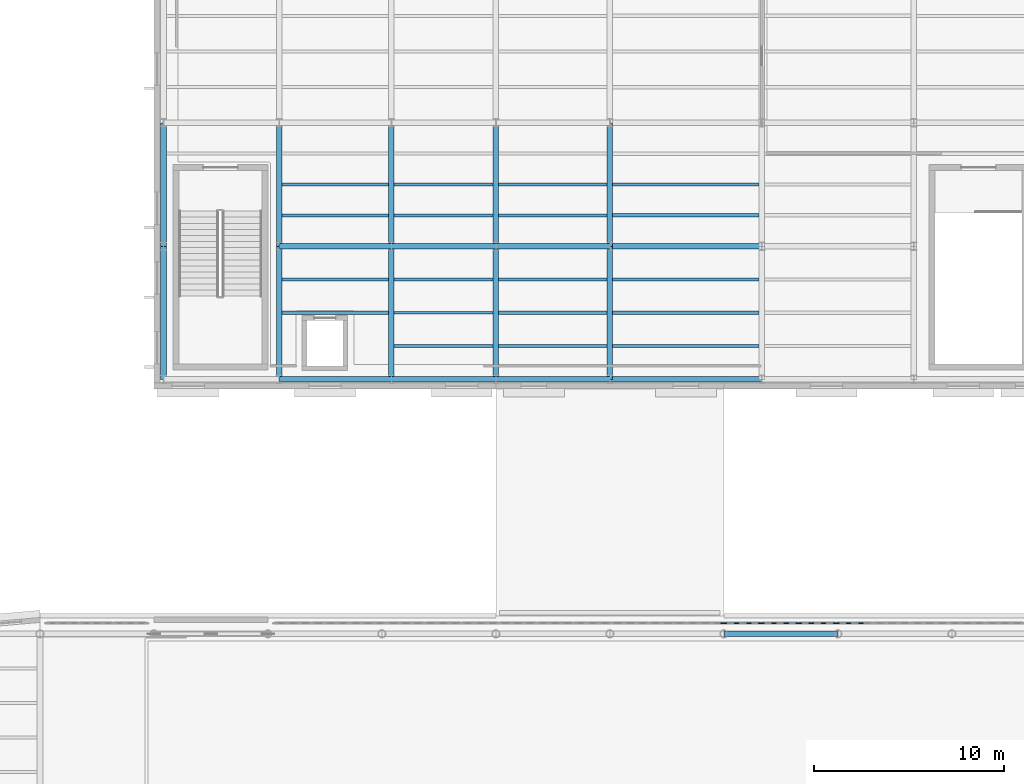
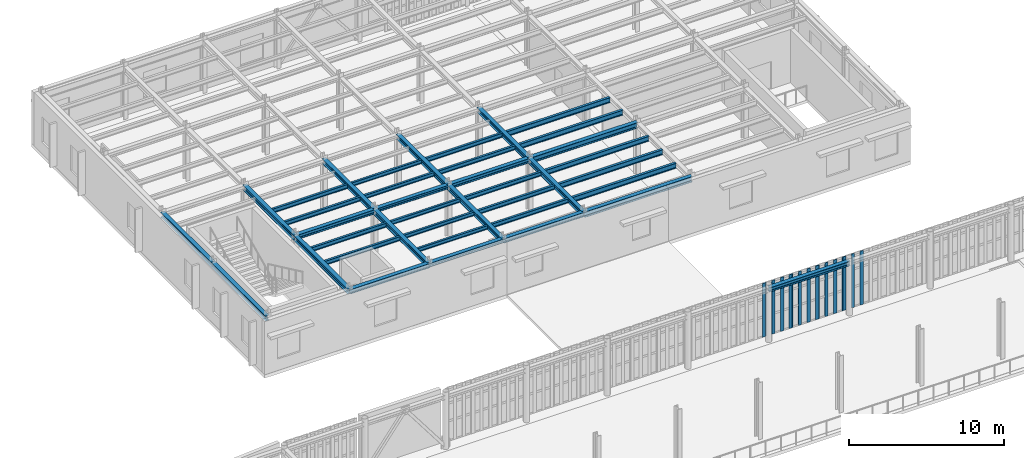
# One storey, part 29 of 91: 38 beams, 16 members, 5 elements without a shape of their own.
"""IFC4 building model written with IfcOpenShell, lengths in metres."""

from ifc_helpers import new_model, si_unit, direction, frame, origin, origin_2d, place, context, subcontext, project, spatial, rectangle, i_section, extrude, material, material_profile, profile_set, type_object, element, aggregate, save


model = new_model("IFC4")

# Units and contexts
model_context = context("Model", 3, precision=1e-05, world=origin(), true_north=direction((0.0, 1.0)))
body_context = subcontext(model_context, "Body", "Model", "MODEL_VIEW")
ifc_project = project(units=[si_unit("LENGTHUNIT", "METRE"), si_unit("AREAUNIT", "SQUARE_METRE"), si_unit("VOLUMEUNIT", "CUBIC_METRE"), si_unit("PLANEANGLEUNIT", "RADIAN"), si_unit("MASSUNIT", "GRAM", prefix="KILO")], contexts=[model_context])

# Site, building, storey
site_placement = place(None, origin())
site = spatial("IfcSite", under=ifc_project, at=site_placement, CompositionType="ELEMENT")
building_placement = place(site_placement, origin())
building = spatial("IfcBuilding", under=site, at=building_placement, Name="Kolvaren Corner Interchange", CompositionType="ELEMENT")
storey_placement = place(building_placement, frame((0.0, 0.0, 6.0)))
storey = spatial("IfcBuildingStorey", under=building, at=storey_placement, Name="L02", CompositionType="ELEMENT", Elevation=6.0)

# Beams
ifc_material_1 = material(Name="Steel S355", Category="steel")
ifc_material_profile_1 = material_profile(ifc_material_1, i_section(OverallWidth=0.300048828125, OverallDepth=0.2900390625, WebThickness=0.008544921875, FlangeThickness=0.013916015625, FilletRadius=0.027099609375, at=origin_2d()), Name="HEA 300")
ifc_profile_set_1 = profile_set([ifc_material_profile_1], Name="Steel S355")
beam_type_1 = type_object("IfcBeamType", Name="BM-HEA300", PredefinedType="BEAM", material=ifc_profile_set_1)
for number, where, z_axis, x_axis, name in (
    (1, (78.5, 84.5, 4.034912109375), (1.0, 0.0, 0.0), (0.0, 1.0, 0.0), "Storey L02 Grid X Primary Girder 0709"),
    (2, (78.5, 91.5, 4.034912109375), (1.0, 0.0, 0.0), (0.0, 1.0, 0.0), "Storey L02 Grid X Primary Girder 0715"),
):
    element("IfcBeam", number, at=place(storey_placement, frame(where, z_axis=z_axis, x_axis=x_axis)), inside=storey, type_object=beam_type_1, Name=name, PredefinedType="BEAM", context=body_context, shape_type="SweptSolid", body=[
        extrude(i_section(OverallWidth=0.300048828125, OverallDepth=0.2900390625, WebThickness=0.008544921875, FlangeThickness=0.013916015625, FilletRadius=0.027099609375, at=origin_2d()), origin(), (0.0, 0.0, 1.0), 5.5),
    ])
ifc_material_2 = material(Name="Steel S355", Category="steel")
ifc_material_profile_2 = material_profile(ifc_material_2, i_section(OverallWidth=0.300048828125, OverallDepth=0.35009765625, WebThickness=0.010009765625, FlangeThickness=0.017578125, FilletRadius=0.027099609375, at=origin_2d()), Name="HEA 360")
ifc_profile_set_2 = profile_set([ifc_material_profile_2], Name="Steel S355")
beam_type_2 = type_object("IfcBeamType", Name="BM-HEA360", PredefinedType="BEAM", material=ifc_profile_set_2)
beam_1_placement = place(storey_placement, frame((96.0, 71.10009765625, 4.074951171875), z_axis=(1.0, 0.0, 0.0), x_axis=(0.0, 1.0, 0.0)))
element("IfcBeam", 3, at=beam_1_placement, inside=storey, type_object=beam_type_2, Name="Storey L02 Grid X Primary Girder 0597", PredefinedType="BEAM", context=body_context, shape_type="SweptSolid", body=[
    extrude(i_section(OverallWidth=0.300048828125, OverallDepth=0.35009765625, WebThickness=0.010009765625, FlangeThickness=0.017578125, FilletRadius=0.027099609375, at=origin_2d()), origin(), (0.0, 0.0, 1.0), 6.0),
])
beam_2_placement = place(storey_placement, frame((72.60009765625, 84.5, 4.0048828125), z_axis=(1.0, 0.0, 0.0), x_axis=(0.0, 1.0, 0.0)))
element("IfcBeam", 4, at=beam_2_placement, inside=storey, type_object=beam_type_2, Name="Storey L02 Grid X Primary Girder 0708", PredefinedType="BEAM", context=body_context, shape_type="SweptSolid", body=[
    extrude(i_section(OverallWidth=0.300048828125, OverallDepth=0.35009765625, WebThickness=0.010009765625, FlangeThickness=0.017578125, FilletRadius=0.027099609375, at=origin_2d()), origin(), (0.0, 0.0, 1.0), 5.89990234375),
])
beam_3_placement = place(storey_placement, frame((84.0, 84.5, 4.0048828125), z_axis=(1.0, 0.0, 0.0), x_axis=(0.0, 1.0, 0.0)))
element("IfcBeam", 5, at=beam_3_placement, inside=storey, type_object=beam_type_2, Name="Storey L02 Grid X Primary Girder 0710", PredefinedType="BEAM", context=body_context, shape_type="SweptSolid", body=[
    extrude(i_section(OverallWidth=0.300048828125, OverallDepth=0.35009765625, WebThickness=0.010009765625, FlangeThickness=0.017578125, FilletRadius=0.027099609375, at=origin_2d()), origin(), (0.0, 0.0, 1.0), 6.0),
])
beam_4_placement = place(storey_placement, frame((72.60009765625, 91.5, 4.0048828125), z_axis=(1.0, 0.0, 0.0), x_axis=(0.0, 1.0, 0.0)))
element("IfcBeam", 6, at=beam_4_placement, inside=storey, type_object=beam_type_2, Name="Storey L02 Grid X Primary Girder 0714", PredefinedType="BEAM", context=body_context, shape_type="SweptSolid", body=[
    extrude(i_section(OverallWidth=0.300048828125, OverallDepth=0.35009765625, WebThickness=0.010009765625, FlangeThickness=0.017578125, FilletRadius=0.027099609375, at=origin_2d()), origin(), (0.0, 0.0, 1.0), 5.89990234375),
])
beam_5_placement = place(storey_placement, frame((84.0, 91.5, 4.0048828125), z_axis=(1.0, 0.0, 0.0), x_axis=(0.0, 1.0, 0.0)))
element("IfcBeam", 7, at=beam_5_placement, inside=storey, type_object=beam_type_2, Name="Storey L02 Grid X Primary Girder 0716", PredefinedType="BEAM", context=body_context, shape_type="SweptSolid", body=[
    extrude(i_section(OverallWidth=0.300048828125, OverallDepth=0.35009765625, WebThickness=0.010009765625, FlangeThickness=0.017578125, FilletRadius=0.027099609375, at=origin_2d()), origin(), (0.0, 0.0, 1.0), 6.0),
])
ifc_material_3 = material(Name="Steel S355", Category="steel")
ifc_material_profile_3 = material_profile(ifc_material_3, i_section(OverallWidth=0.300048828125, OverallDepth=0.389892578125, WebThickness=0.010986328125, FlangeThickness=0.01904296875, FilletRadius=0.027099609375, at=origin_2d()), Name="HEA 400")
ifc_profile_set_3 = profile_set([ifc_material_profile_3], Name="Steel S355")
beam_type_3 = type_object("IfcBeamType", Name="BM-HEA400", PredefinedType="BEAM", material=ifc_profile_set_3)
beam_6_placement = place(storey_placement, frame((66.5, 84.5, 3.985107421875), z_axis=(0.0, 1.0, 0.0), x_axis=(-1.0, 0.0, 0.0)))
element("IfcBeam", 8, at=beam_6_placement, inside=storey, type_object=beam_type_3, Name="Storey L02 Grid Y Primary Girder 0786", PredefinedType="BEAM", context=body_context, shape_type="SweptSolid", body=[
    extrude(i_section(OverallWidth=0.300048828125, OverallDepth=0.389892578125, WebThickness=0.010986328125, FlangeThickness=0.01904296875, FilletRadius=0.027099609375, at=origin_2d()), origin(), (0.0, 0.0, 1.0), 7.0),
])
beam_7_placement = place(storey_placement, frame((66.5, 91.5, 3.985107421875), z_axis=(0.0, 1.0, 0.0), x_axis=(-1.0, 0.0, 0.0)))
element("IfcBeam", 9, at=beam_7_placement, inside=storey, type_object=beam_type_3, Name="Storey L02 Grid Y Primary Girder 0787", PredefinedType="BEAM", context=body_context, shape_type="SweptSolid", body=[
    extrude(i_section(OverallWidth=0.300048828125, OverallDepth=0.389892578125, WebThickness=0.010986328125, FlangeThickness=0.01904296875, FilletRadius=0.027099609375, at=origin_2d()), origin(), (0.0, 0.0, 1.0), 6.5),
])
beam_8_placement = place(storey_placement, frame((72.60009765625, 84.5, 3.985107421875), z_axis=(0.0, 1.0, 0.0), x_axis=(-1.0, 0.0, 0.0)))
element("IfcBeam", 10, at=beam_8_placement, inside=storey, type_object=beam_type_3, Name="Storey L02 Grid Y Primary Girder 0790", PredefinedType="BEAM", context=body_context, shape_type="SweptSolid", body=[
    extrude(i_section(OverallWidth=0.300048828125, OverallDepth=0.389892578125, WebThickness=0.010986328125, FlangeThickness=0.01904296875, FilletRadius=0.027099609375, at=origin_2d()), origin(), (0.0, 0.0, 1.0), 7.0),
])
beam_9_placement = place(storey_placement, frame((72.60009765625, 91.5, 3.985107421875), z_axis=(0.0, 1.0, 0.0), x_axis=(-1.0, 0.0, 0.0)))
element("IfcBeam", 11, at=beam_9_placement, inside=storey, type_object=beam_type_3, Name="Storey L02 Grid Y Primary Girder 0791", PredefinedType="BEAM", context=body_context, shape_type="SweptSolid", body=[
    extrude(i_section(OverallWidth=0.300048828125, OverallDepth=0.389892578125, WebThickness=0.010986328125, FlangeThickness=0.01904296875, FilletRadius=0.027099609375, at=origin_2d()), origin(), (0.0, 0.0, 1.0), 6.5),
])
beam_10_placement = place(storey_placement, frame((78.5, 84.5, 3.985107421875), z_axis=(0.0, 1.0, 0.0), x_axis=(-1.0, 0.0, 0.0)))
element("IfcBeam", 12, at=beam_10_placement, inside=storey, type_object=beam_type_3, Name="Storey L02 Grid Y Primary Girder 0794", PredefinedType="BEAM", context=body_context, shape_type="SweptSolid", body=[
    extrude(i_section(OverallWidth=0.300048828125, OverallDepth=0.389892578125, WebThickness=0.010986328125, FlangeThickness=0.01904296875, FilletRadius=0.027099609375, at=origin_2d()), origin(), (0.0, 0.0, 1.0), 7.0),
])
beam_11_placement = place(storey_placement, frame((78.5, 91.5, 3.985107421875), z_axis=(0.0, 1.0, 0.0), x_axis=(-1.0, 0.0, 0.0)))
element("IfcBeam", 13, at=beam_11_placement, inside=storey, type_object=beam_type_3, Name="Storey L02 Grid Y Primary Girder 0795", PredefinedType="BEAM", context=body_context, shape_type="SweptSolid", body=[
    extrude(i_section(OverallWidth=0.300048828125, OverallDepth=0.389892578125, WebThickness=0.010986328125, FlangeThickness=0.01904296875, FilletRadius=0.027099609375, at=origin_2d()), origin(), (0.0, 0.0, 1.0), 6.5),
])
beam_12_placement = place(storey_placement, frame((84.0, 84.5, 3.985107421875), z_axis=(0.0, 1.0, 0.0), x_axis=(-1.0, 0.0, 0.0)))
element("IfcBeam", 14, at=beam_12_placement, inside=storey, type_object=beam_type_3, Name="Storey L02 Grid Y Primary Girder 0798", PredefinedType="BEAM", context=body_context, shape_type="SweptSolid", body=[
    extrude(i_section(OverallWidth=0.300048828125, OverallDepth=0.389892578125, WebThickness=0.010986328125, FlangeThickness=0.01904296875, FilletRadius=0.027099609375, at=origin_2d()), origin(), (0.0, 0.0, 1.0), 7.0),
])
beam_13_placement = place(storey_placement, frame((84.0, 91.5, 3.985107421875), z_axis=(0.0, 1.0, 0.0), x_axis=(-1.0, 0.0, 0.0)))
element("IfcBeam", 15, at=beam_13_placement, inside=storey, type_object=beam_type_3, Name="Storey L02 Grid Y Primary Girder 0799", PredefinedType="BEAM", context=body_context, shape_type="SweptSolid", body=[
    extrude(i_section(OverallWidth=0.300048828125, OverallDepth=0.389892578125, WebThickness=0.010986328125, FlangeThickness=0.01904296875, FilletRadius=0.027099609375, at=origin_2d()), origin(), (0.0, 0.0, 1.0), 6.5),
])
beam_14_placement = place(storey_placement, frame((90.0, 84.5, 3.985107421875), z_axis=(0.0, 1.0, 0.0), x_axis=(-1.0, 0.0, 0.0)))
element("IfcBeam", 16, at=beam_14_placement, inside=storey, type_object=beam_type_3, Name="Storey L02 Grid Y Primary Girder 0802", PredefinedType="BEAM", context=body_context, shape_type="SweptSolid", body=[
    extrude(i_section(OverallWidth=0.300048828125, OverallDepth=0.389892578125, WebThickness=0.010986328125, FlangeThickness=0.01904296875, FilletRadius=0.027099609375, at=origin_2d()), origin(), (0.0, 0.0, 1.0), 7.0),
])
beam_15_placement = place(storey_placement, frame((90.0, 91.5, 3.985107421875), z_axis=(0.0, 1.0, 0.0), x_axis=(-1.0, 0.0, 0.0)))
element("IfcBeam", 17, at=beam_15_placement, inside=storey, type_object=beam_type_3, Name="Storey L02 Grid Y Primary Girder 0803", PredefinedType="BEAM", context=body_context, shape_type="SweptSolid", body=[
    extrude(i_section(OverallWidth=0.300048828125, OverallDepth=0.389892578125, WebThickness=0.010986328125, FlangeThickness=0.01904296875, FilletRadius=0.027099609375, at=origin_2d()), origin(), (0.0, 0.0, 1.0), 6.5),
])
ifc_material_4 = material(Name="Steel S355", Category="steel")
ifc_material_profile_4 = material_profile(ifc_material_4, i_section(OverallWidth=0.300048828125, OverallDepth=0.43994140625, WebThickness=0.011474609375, FlangeThickness=0.02099609375, FilletRadius=0.027099609375, at=origin_2d()), Name="HEA 450")
ifc_profile_set_4 = profile_set([ifc_material_profile_4], Name="Steel S355")
beam_type_4 = type_object("IfcBeamType", Name="BM-HEA450", PredefinedType="BEAM", material=ifc_profile_set_4)
for number, where, z_axis, x_axis, name in (
    (18, (90.0, 84.5, 3.9599609375), (1.0, 0.0, 0.0), (0.0, 1.0, 0.0), "Storey L02 Grid X Primary Girder 0711"),
    (19, (90.0, 91.5, 3.9599609375), (1.0, 0.0, 0.0), (0.0, 1.0, 0.0), "Storey L02 Grid X Primary Girder 0717"),
):
    element("IfcBeam", number, at=place(storey_placement, frame(where, z_axis=z_axis, x_axis=x_axis)), inside=storey, type_object=beam_type_4, Name=name, PredefinedType="BEAM", context=body_context, shape_type="SweptSolid", body=[
        extrude(i_section(OverallWidth=0.300048828125, OverallDepth=0.43994140625, WebThickness=0.011474609375, FlangeThickness=0.02099609375, FilletRadius=0.027099609375, at=origin_2d()), origin(), (0.0, 0.0, 1.0), 8.0),
    ])
ifc_material_5 = material(Name="Steel S355", Category="steel")
ifc_material_profile_5 = material_profile(ifc_material_5, i_section(OverallWidth=0.14990234375, OverallDepth=0.300048828125, WebThickness=0.007080078125, FlangeThickness=0.0107421875, FilletRadius=0.014892578125, at=origin_2d()), Name="IPE 300")
ifc_profile_set_5 = profile_set([ifc_material_profile_5], Name="Steel S355")
beam_type_5 = type_object("IfcBeamType", Name="JS-IPE300", PredefinedType="JOIST", material=ifc_profile_set_5)
for number, where, z_axis, x_axis, name in (
    (20, (78.64990234375, 86.25, 4.030029296875), (1.0, 0.0, 0.0), (0.0, 1.0, 0.0), "Storey L02 Composite Floor Joist 0704"),
    (21, (78.64990234375, 88.0, 4.030029296875), (1.0, 0.0, 0.0), (0.0, 1.0, 0.0), "Storey L02 Composite Floor Joist 0705"),
    (22, (78.64990234375, 89.75, 4.030029296875), (1.0, 0.0, 0.0), (0.0, 1.0, 0.0), "Storey L02 Composite Floor Joist 0706"),
    (23, (78.64990234375, 93.125, 4.030029296875), (1.0, 0.0, 0.0), (0.0, 1.0, 0.0), "Storey L02 Composite Floor Joist 0707"),
    (24, (78.64990234375, 94.75, 4.030029296875), (1.0, 0.0, 0.0), (0.0, 1.0, 0.0), "Storey L02 Composite Floor Joist 0708"),
):
    element("IfcBeam", number, at=place(storey_placement, frame(where, z_axis=z_axis, x_axis=x_axis)), inside=storey, type_object=beam_type_5, Name=name, PredefinedType="JOIST", context=body_context, shape_type="SweptSolid", body=[
        extrude(i_section(OverallWidth=0.14990234375, OverallDepth=0.300048828125, WebThickness=0.007080078125, FlangeThickness=0.0107421875, FilletRadius=0.014892578125, at=origin_2d()), origin(), (0.0, 0.0, 1.0), 5.2001953125),
    ])
ifc_material_6 = material(Name="Steel S355", Category="steel")
ifc_material_profile_6 = material_profile(ifc_material_6, i_section(OverallWidth=0.159912109375, OverallDepth=0.330078125, WebThickness=0.007568359375, FlangeThickness=0.011474609375, FilletRadius=0.01806640625, at=origin_2d()), Name="IPE 330")
ifc_profile_set_6 = profile_set([ifc_material_profile_6], Name="Steel S355")
beam_type_6 = type_object("IfcBeamType", Name="JS-IPE330", PredefinedType="JOIST", material=ifc_profile_set_6)
for number, where, z_axis, x_axis, name in (
    (25, (72.75, 88.0, 4.014892578125), (1.0, 0.0, 0.0), (0.0, 1.0, 0.0), "Storey L02 Composite Floor Joist 0693"),
    (26, (72.75, 89.75, 4.014892578125), (1.0, 0.0, 0.0), (0.0, 1.0, 0.0), "Storey L02 Composite Floor Joist 0694"),
    (27, (72.75, 93.125, 4.014892578125), (1.0, 0.0, 0.0), (0.0, 1.0, 0.0), "Storey L02 Composite Floor Joist 0695"),
    (28, (72.75, 94.75, 4.014892578125), (1.0, 0.0, 0.0), (0.0, 1.0, 0.0), "Storey L02 Composite Floor Joist 0696"),
):
    element("IfcBeam", number, at=place(storey_placement, frame(where, z_axis=z_axis, x_axis=x_axis)), inside=storey, type_object=beam_type_6, Name=name, PredefinedType="JOIST", context=body_context, shape_type="SweptSolid", body=[
        extrude(i_section(OverallWidth=0.159912109375, OverallDepth=0.330078125, WebThickness=0.007568359375, FlangeThickness=0.011474609375, FilletRadius=0.01806640625, at=origin_2d()), origin(), (0.0, 0.0, 1.0), 5.60009765625),
    ])
for number, where, z_axis, x_axis, name in (
    (29, (84.14990234375, 86.25, 4.014892578125), (1.0, 0.0, 0.0), (0.0, 1.0, 0.0), "Storey L02 Composite Floor Joist 0716"),
    (30, (84.14990234375, 88.0, 4.014892578125), (1.0, 0.0, 0.0), (0.0, 1.0, 0.0), "Storey L02 Composite Floor Joist 0717"),
    (31, (84.14990234375, 89.75, 4.014892578125), (1.0, 0.0, 0.0), (0.0, 1.0, 0.0), "Storey L02 Composite Floor Joist 0718"),
    (32, (84.14990234375, 93.125, 4.014892578125), (1.0, 0.0, 0.0), (0.0, 1.0, 0.0), "Storey L02 Composite Floor Joist 0719"),
    (33, (84.14990234375, 94.75, 4.014892578125), (1.0, 0.0, 0.0), (0.0, 1.0, 0.0), "Storey L02 Composite Floor Joist 0720"),
):
    element("IfcBeam", number, at=place(storey_placement, frame(where, z_axis=z_axis, x_axis=x_axis)), inside=storey, type_object=beam_type_6, Name=name, PredefinedType="JOIST", context=body_context, shape_type="SweptSolid", body=[
        extrude(i_section(OverallWidth=0.159912109375, OverallDepth=0.330078125, WebThickness=0.007568359375, FlangeThickness=0.011474609375, FilletRadius=0.01806640625, at=origin_2d()), origin(), (0.0, 0.0, 1.0), 5.7001953125),
    ])
ifc_material_7 = material(Name="Steel S355", Category="steel")
ifc_material_profile_7 = material_profile(ifc_material_7, i_section(OverallWidth=0.179931640625, OverallDepth=0.39990234375, WebThickness=0.008544921875, FlangeThickness=0.013427734375, FilletRadius=0.02099609375, at=origin_2d()), Name="IPE 400")
ifc_profile_set_7 = profile_set([ifc_material_profile_7], Name="Steel S355")
beam_type_7 = type_object("IfcBeamType", Name="JS-IPE400", PredefinedType="JOIST", material=ifc_profile_set_7)
for number, where, z_axis, x_axis, name in (
    (34, (90.14990234375, 86.25, 3.97998046875), (1.0, 0.0, 0.0), (0.0, 1.0, 0.0), "Storey L02 Composite Floor Joist 0728"),
    (35, (90.14990234375, 88.0, 3.97998046875), (1.0, 0.0, 0.0), (0.0, 1.0, 0.0), "Storey L02 Composite Floor Joist 0729"),
    (36, (90.14990234375, 89.75, 3.97998046875), (1.0, 0.0, 0.0), (0.0, 1.0, 0.0), "Storey L02 Composite Floor Joist 0730"),
    (37, (90.14990234375, 93.125, 3.97998046875), (1.0, 0.0, 0.0), (0.0, 1.0, 0.0), "Storey L02 Composite Floor Joist 0731"),
    (38, (90.14990234375, 94.75, 3.97998046875), (1.0, 0.0, 0.0), (0.0, 1.0, 0.0), "Storey L02 Composite Floor Joist 0732"),
):
    element("IfcBeam", number, at=place(storey_placement, frame(where, z_axis=z_axis, x_axis=x_axis)), inside=storey, type_object=beam_type_7, Name=name, PredefinedType="JOIST", context=body_context, shape_type="SweptSolid", body=[
        extrude(i_section(OverallWidth=0.179931640625, OverallDepth=0.39990234375, WebThickness=0.008544921875, FlangeThickness=0.013427734375, FilletRadius=0.02099609375, at=origin_2d()), origin(), (0.0, 0.0, 1.0), 7.7001953125),
    ])

# Curtain wall, members
ifc_material_8 = material(Name="Unitised Aluminium and Solar-Control Glass Curtain Wall", Category="aluminium")
curtain_wall_type = type_object("IfcCurtainWallType", Name="CW-V1-NORTH", PredefinedType="NOTDEFINED", material=ifc_material_8)
curtain_wall_1_placement = place(storey_placement, origin())
curtain_wall_1 = element("IfcCurtainWall", 39, at=curtain_wall_1_placement, inside=storey, type_object=curtain_wall_type, Name="North Concourse Gallery Curtain Wall Bay 09", PredefinedType="NOTDEFINED")
ifc_material_9 = material(Name="Anodised Aluminium Framing", Category="aluminium")
ifc_material_profile_8 = material_profile(ifc_material_9, rectangle(XDim=0.070068359375, YDim=0.239990234375, at=origin_2d()), Name="ALU 70x240")
ifc_profile_set_8 = profile_set([ifc_material_profile_8], Name="Anodised Aluminium Framing")
member_type = type_object("IfcMemberType", Name="MUL-ALU70x240", PredefinedType="MULLION", material=ifc_profile_set_8)
member_1_placement = place(storey_placement, frame((103.226318359375, 71.659912109375, 0.0), z_axis=(0.0, 0.0, 1.0), x_axis=(0.0, -1.0, 0.0)))
member_1 = element("IfcMember", 40, at=member_1_placement, type_object=member_type, Name="CW-066 mullion 2", PredefinedType="MULLION", context=body_context, shape_type="SweptSolid", body=[
    extrude(rectangle(XDim=0.070068359375, YDim=0.239990234375, at=origin_2d()), origin(), (0.0, 0.0, 1.0), 4.219970703125),
])
member_2_placement = place(storey_placement, frame((102.5693359375, 71.659912109375, 0.0), z_axis=(0.0, 0.0, 1.0), x_axis=(0.0, -1.0, 0.0)))
member_2 = element("IfcMember", 41, at=member_2_placement, type_object=member_type, Name="CW-066 mullion 3", PredefinedType="MULLION", context=body_context, shape_type="SweptSolid", body=[
    extrude(rectangle(XDim=0.070068359375, YDim=0.239990234375, at=origin_2d()), origin(), (0.0, 0.0, 1.0), 4.219970703125),
])
member_3_placement = place(storey_placement, frame((101.947509765625, 71.659912109375, 0.0), z_axis=(0.0, 0.0, 1.0), x_axis=(0.0, -1.0, 0.0)))
member_3 = element("IfcMember", 42, at=member_3_placement, type_object=member_type, Name="CW-066 mullion 4", PredefinedType="MULLION", context=body_context, shape_type="SweptSolid", body=[
    extrude(rectangle(XDim=0.070068359375, YDim=0.239990234375, at=origin_2d()), origin(), (0.0, 0.0, 1.0), 4.219970703125),
])
aggregate(curtain_wall_1, [member_1, member_2, member_3])

curtain_wall_2_placement = place(storey_placement, origin())
curtain_wall_2 = element("IfcCurtainWall", 43, at=curtain_wall_2_placement, inside=storey, type_object=curtain_wall_type, Name="North Concourse Gallery Curtain Wall Bay 10", PredefinedType="NOTDEFINED")
member_4_placement = place(storey_placement, frame((101.87744140625, 71.659912109375, 0.0), z_axis=(0.0, 0.0, 1.0), x_axis=(0.0, -1.0, 0.0)))
member_4 = element("IfcMember", 44, at=member_4_placement, type_object=member_type, Name="CW-067 mullion 1", PredefinedType="MULLION", context=body_context, shape_type="SweptSolid", body=[
    extrude(rectangle(XDim=0.070068359375, YDim=0.239990234375, at=origin_2d()), origin(), (0.0, 0.0, 1.0), 4.219970703125),
])
member_5_placement = place(storey_placement, frame((101.255615234375, 71.659912109375, 0.0), z_axis=(0.0, 0.0, 1.0), x_axis=(0.0, -1.0, 0.0)))
member_5 = element("IfcMember", 45, at=member_5_placement, type_object=member_type, Name="CW-067 mullion 2", PredefinedType="MULLION", context=body_context, shape_type="SweptSolid", body=[
    extrude(rectangle(XDim=0.070068359375, YDim=0.239990234375, at=origin_2d()), origin(), (0.0, 0.0, 1.0), 4.219970703125),
])
member_6_placement = place(storey_placement, frame((100.5986328125, 71.659912109375, 0.0), z_axis=(0.0, 0.0, 1.0), x_axis=(0.0, -1.0, 0.0)))
member_6 = element("IfcMember", 46, at=member_6_placement, type_object=member_type, Name="CW-067 mullion 3", PredefinedType="MULLION", context=body_context, shape_type="SweptSolid", body=[
    extrude(rectangle(XDim=0.070068359375, YDim=0.239990234375, at=origin_2d()), origin(), (0.0, 0.0, 1.0), 4.219970703125),
])
member_7_placement = place(storey_placement, frame((99.976806640625, 71.659912109375, 0.0), z_axis=(0.0, 0.0, 1.0), x_axis=(0.0, -1.0, 0.0)))
member_7 = element("IfcMember", 47, at=member_7_placement, type_object=member_type, Name="CW-067 mullion 4", PredefinedType="MULLION", context=body_context, shape_type="SweptSolid", body=[
    extrude(rectangle(XDim=0.070068359375, YDim=0.239990234375, at=origin_2d()), origin(), (0.0, 0.0, 1.0), 4.219970703125),
])
aggregate(curtain_wall_2, [member_4, member_5, member_6, member_7])

curtain_wall_3_placement = place(storey_placement, origin())
curtain_wall_3 = element("IfcCurtainWall", 48, at=curtain_wall_3_placement, inside=storey, type_object=curtain_wall_type, Name="North Concourse Gallery Curtain Wall Bay 11", PredefinedType="NOTDEFINED")
member_8_placement = place(storey_placement, frame((99.90673828125, 71.659912109375, 0.0), z_axis=(0.0, 0.0, 1.0), x_axis=(0.0, -1.0, 0.0)))
member_8 = element("IfcMember", 49, at=member_8_placement, type_object=member_type, Name="CW-068 mullion 1", PredefinedType="MULLION", context=body_context, shape_type="SweptSolid", body=[
    extrude(rectangle(XDim=0.070068359375, YDim=0.239990234375, at=origin_2d()), origin(), (0.0, 0.0, 1.0), 4.219970703125),
])
member_9_placement = place(storey_placement, frame((99.28466796875, 71.659912109375, 0.0), z_axis=(0.0, 0.0, 1.0), x_axis=(0.0, -1.0, 0.0)))
member_9 = element("IfcMember", 50, at=member_9_placement, type_object=member_type, Name="CW-068 mullion 2", PredefinedType="MULLION", context=body_context, shape_type="SweptSolid", body=[
    extrude(rectangle(XDim=0.070068359375, YDim=0.239990234375, at=origin_2d()), origin(), (0.0, 0.0, 1.0), 4.219970703125),
])
member_10_placement = place(storey_placement, frame((98.627685546875, 71.659912109375, 0.0), z_axis=(0.0, 0.0, 1.0), x_axis=(0.0, -1.0, 0.0)))
member_10 = element("IfcMember", 51, at=member_10_placement, type_object=member_type, Name="CW-068 mullion 3", PredefinedType="MULLION", context=body_context, shape_type="SweptSolid", body=[
    extrude(rectangle(XDim=0.070068359375, YDim=0.239990234375, at=origin_2d()), origin(), (0.0, 0.0, 1.0), 4.219970703125),
])
member_11_placement = place(storey_placement, frame((98.005859375, 71.659912109375, 0.0), z_axis=(0.0, 0.0, 1.0), x_axis=(0.0, -1.0, 0.0)))
member_11 = element("IfcMember", 52, at=member_11_placement, type_object=member_type, Name="CW-068 mullion 4", PredefinedType="MULLION", context=body_context, shape_type="SweptSolid", body=[
    extrude(rectangle(XDim=0.070068359375, YDim=0.239990234375, at=origin_2d()), origin(), (0.0, 0.0, 1.0), 4.219970703125),
])
aggregate(curtain_wall_3, [member_8, member_9, member_10, member_11])

curtain_wall_4_placement = place(storey_placement, origin())
curtain_wall_4 = element("IfcCurtainWall", 53, at=curtain_wall_4_placement, inside=storey, type_object=curtain_wall_type, Name="North Concourse Gallery Curtain Wall Bay 12", PredefinedType="NOTDEFINED")
member_12_placement = place(storey_placement, frame((97.935791015625, 71.659912109375, 0.0), z_axis=(0.0, 0.0, 1.0), x_axis=(0.0, -1.0, 0.0)))
member_12 = element("IfcMember", 54, at=member_12_placement, type_object=member_type, Name="CW-069 mullion 1", PredefinedType="MULLION", context=body_context, shape_type="SweptSolid", body=[
    extrude(rectangle(XDim=0.070068359375, YDim=0.239990234375, at=origin_2d()), origin(), (0.0, 0.0, 1.0), 4.219970703125),
])
member_13_placement = place(storey_placement, frame((97.31396484375, 71.659912109375, 0.0), z_axis=(0.0, 0.0, 1.0), x_axis=(0.0, -1.0, 0.0)))
member_13 = element("IfcMember", 55, at=member_13_placement, type_object=member_type, Name="CW-069 mullion 2", PredefinedType="MULLION", context=body_context, shape_type="SweptSolid", body=[
    extrude(rectangle(XDim=0.070068359375, YDim=0.239990234375, at=origin_2d()), origin(), (0.0, 0.0, 1.0), 4.219970703125),
])
member_14_placement = place(storey_placement, frame((96.656982421875, 71.659912109375, 0.0), z_axis=(0.0, 0.0, 1.0), x_axis=(0.0, -1.0, 0.0)))
member_14 = element("IfcMember", 56, at=member_14_placement, type_object=member_type, Name="CW-069 mullion 3", PredefinedType="MULLION", context=body_context, shape_type="SweptSolid", body=[
    extrude(rectangle(XDim=0.070068359375, YDim=0.239990234375, at=origin_2d()), origin(), (0.0, 0.0, 1.0), 4.219970703125),
])
member_15_placement = place(storey_placement, frame((96.034912109375, 71.659912109375, 0.0), z_axis=(0.0, 0.0, 1.0), x_axis=(0.0, -1.0, 0.0)))
member_15 = element("IfcMember", 57, at=member_15_placement, type_object=member_type, Name="CW-069 mullion 4", PredefinedType="MULLION", context=body_context, shape_type="SweptSolid", body=[
    extrude(rectangle(XDim=0.070068359375, YDim=0.239990234375, at=origin_2d()), origin(), (0.0, 0.0, 1.0), 4.219970703125),
])
aggregate(curtain_wall_4, [member_12, member_13, member_14, member_15])

# Curtain wall, member
curtain_wall_5_placement = place(storey_placement, origin())
curtain_wall_5 = element("IfcCurtainWall", 58, at=curtain_wall_5_placement, inside=storey, type_object=curtain_wall_type, Name="North Concourse Gallery Curtain Wall Bay 13", PredefinedType="NOTDEFINED")
member_16_placement = place(storey_placement, frame((95.965087890625, 71.659912109375, 0.0), z_axis=(0.0, 0.0, 1.0), x_axis=(0.0, -1.0, 0.0)))
member_16 = element("IfcMember", 59, at=member_16_placement, type_object=member_type, Name="CW-070 mullion 1", PredefinedType="MULLION", context=body_context, shape_type="SweptSolid", body=[
    extrude(rectangle(XDim=0.070068359375, YDim=0.239990234375, at=origin_2d()), origin(), (0.0, 0.0, 1.0), 4.219970703125),
])
aggregate(curtain_wall_5, [member_16])

save(model, "model.ifc")
